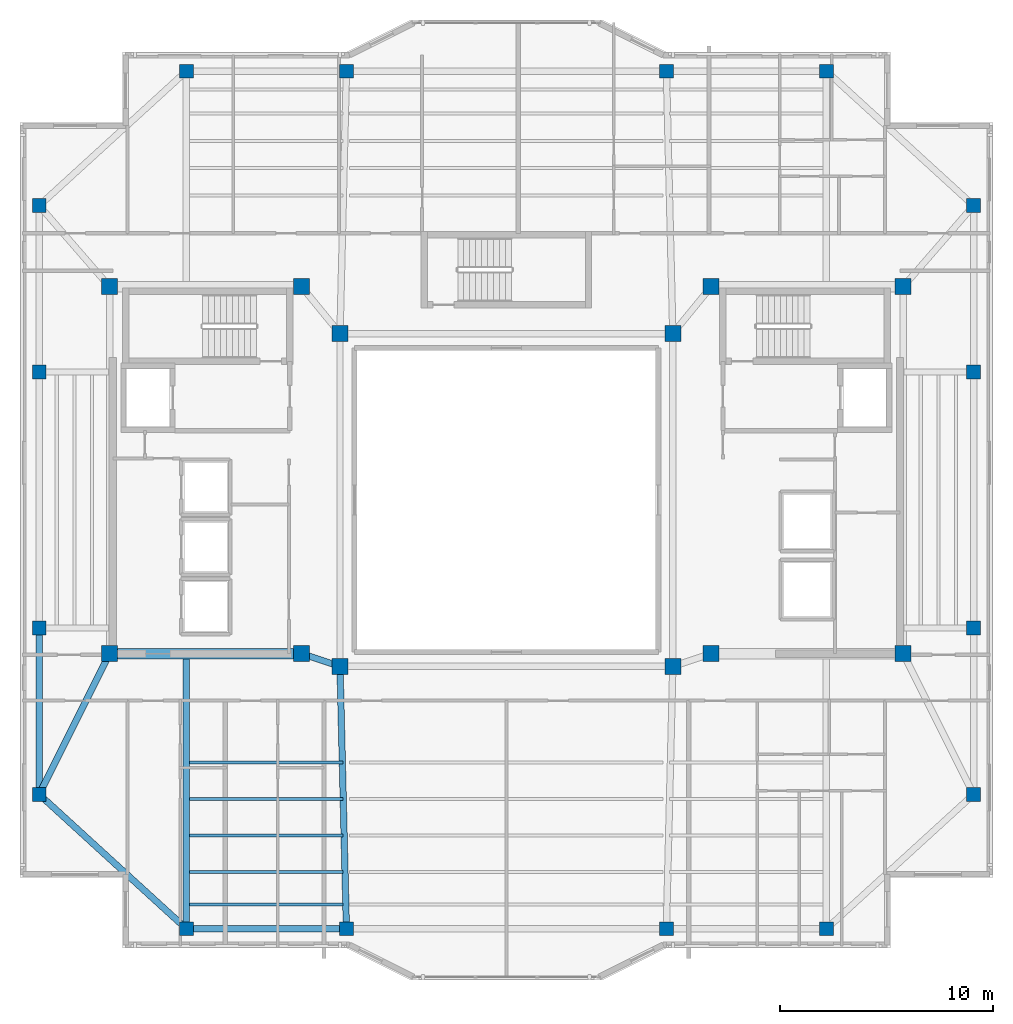
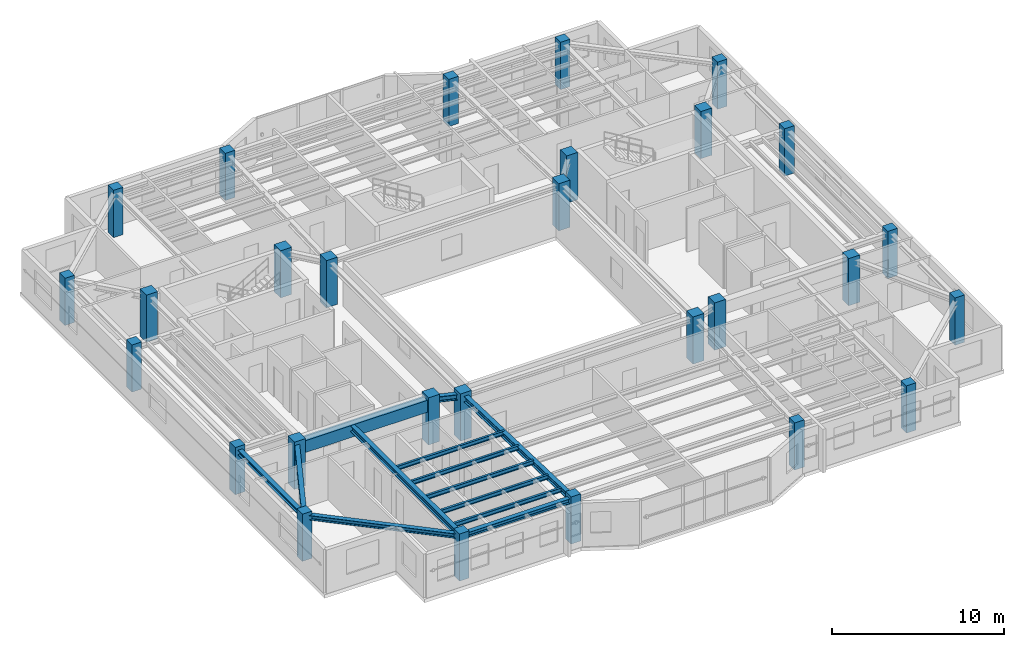
# One storey, part 1 of 14: 28 columns, 13 beams.
"""IFC4 building model written with IfcOpenShell, lengths in metres."""

from ifc_helpers import new_model, si_unit, direction, frame, origin, origin_2d, place, context, subcontext, project, spatial, rectangle, i_section, extrude, material, material_profile, profile_set, type_object, element, save


model = new_model("IFC4")

# Units and contexts
model_context = context("Model", 3, precision=1e-05, world=origin(), true_north=direction((0.0, 1.0)))
body_context = subcontext(model_context, "Body", "Model", "MODEL_VIEW")
ifc_project = project(units=[si_unit("LENGTHUNIT", "METRE"), si_unit("AREAUNIT", "SQUARE_METRE"), si_unit("VOLUMEUNIT", "CUBIC_METRE"), si_unit("PLANEANGLEUNIT", "RADIAN"), si_unit("MASSUNIT", "GRAM", prefix="KILO")], contexts=[model_context])

# Site, building, storey
site_placement = place(None, origin())
site = spatial("IfcSite", under=ifc_project, at=site_placement, CompositionType="ELEMENT")
building_placement = place(site_placement, origin())
building = spatial("IfcBuilding", under=site, at=building_placement, Name="Tarnavaz Court Tower", CompositionType="ELEMENT")
storey_placement = place(building_placement, frame((0.0, 0.0, 258.25)))
storey = spatial("IfcBuildingStorey", under=building, at=storey_placement, Name="L70", CompositionType="ELEMENT", Elevation=258.25)

# Columns
ifc_material_1 = material(Name="Concrete C50/60", Category="concrete")
ifc_material_profile_1 = material_profile(ifc_material_1, rectangle(XDim=0.64990234375, YDim=0.64990234375, at=origin_2d()), Name="RC 650X650")
ifc_profile_set_1 = profile_set([ifc_material_profile_1], Name="Concrete C50/60")
column_type_1 = type_object("IfcColumnType", Name="CL-RC650", PredefinedType="COLUMN", material=ifc_profile_set_1)
for number, where, z_axis, x_axis, name in (
    (1, (-15.0, 20.10009765625, 0.0), (0.0, 0.0, 1.0), (1.0, 0.0, 0.0), "L70 Column PN-1"),
    (2, (-7.5, 20.10009765625, 0.0), (0.0, 0.0, 1.0), (1.0, 0.0, 0.0), "L70 Column PN-2"),
    (3, (7.5, 20.10009765625, 0.0), (0.0, 0.0, 1.0), (1.0, 0.0, 0.0), "L70 Column PN-3"),
    (4, (15.0, 20.10009765625, 0.0), (0.0, 0.0, 1.0), (1.0, 0.0, 0.0), "L70 Column PN-4"),
    (5, (-15.0, -20.10009765625, 0.0), (0.0, 0.0, 1.0), (1.0, 0.0, 0.0), "L70 Column PS-1"),
    (6, (-7.5, -20.10009765625, 0.0), (0.0, 0.0, 1.0), (1.0, 0.0, 0.0), "L70 Column PS-2"),
    (7, (7.5, -20.10009765625, 0.0), (0.0, 0.0, 1.0), (1.0, 0.0, 0.0), "L70 Column PS-3"),
    (8, (15.0, -20.10009765625, 0.0), (0.0, 0.0, 1.0), (1.0, 0.0, 0.0), "L70 Column PS-4"),
    (9, (21.89990234375, -13.800048828125, 0.0), (0.0, 0.0, 1.0), (1.0, 0.0, 0.0), "L70 Column PE-1"),
    (10, (21.89990234375, -6.0, 0.0), (0.0, 0.0, 1.0), (1.0, 0.0, 0.0), "L70 Column PE-2"),
    (11, (21.89990234375, 6.0, 0.0), (0.0, 0.0, 1.0), (1.0, 0.0, 0.0), "L70 Column PE-3"),
    (12, (21.89990234375, 13.800048828125, 0.0), (0.0, 0.0, 1.0), (1.0, 0.0, 0.0), "L70 Column PE-4"),
    (13, (-21.89990234375, -13.800048828125, 0.0), (0.0, 0.0, 1.0), (1.0, 0.0, 0.0), "L70 Column PW-1"),
    (14, (-21.89990234375, -6.0, 0.0), (0.0, 0.0, 1.0), (1.0, 0.0, 0.0), "L70 Column PW-2"),
    (15, (-21.89990234375, 6.0, 0.0), (0.0, 0.0, 1.0), (1.0, 0.0, 0.0), "L70 Column PW-3"),
    (16, (-21.89990234375, 13.800048828125, 0.0), (0.0, 0.0, 1.0), (1.0, 0.0, 0.0), "L70 Column PW-4"),
):
    element("IfcColumn", number, at=place(storey_placement, frame(where, z_axis=z_axis, x_axis=x_axis)), inside=storey, type_object=column_type_1, Name=name, PredefinedType="COLUMN", context=body_context, shape_type="SweptSolid", body=[
        extrude(rectangle(XDim=0.64990234375, YDim=0.64990234375, at=origin_2d()), origin(), (0.0, 0.0, 1.0), 3.35009765625),
    ])
ifc_material_profile_2 = material_profile(ifc_material_1, rectangle(XDim=0.75, YDim=0.75, at=origin_2d()), Name="RC 750X750")
ifc_profile_set_2 = profile_set([ifc_material_profile_2], Name="Concrete C50/60")
column_type_2 = type_object("IfcColumnType", Name="CL-RC750", PredefinedType="COLUMN", material=ifc_profile_set_2)
for number, where, z_axis, x_axis, name in (
    (17, (-7.800048828125, -7.800048828125, 0.0), (0.0, 0.0, 1.0), (1.0, 0.0, 0.0), "L70 Column IW-SW"),
    (18, (7.800048828125, -7.800048828125, 0.0), (0.0, 0.0, 1.0), (1.0, 0.0, 0.0), "L70 Column IW-SE"),
    (19, (-7.800048828125, 7.800048828125, 0.0), (0.0, 0.0, 1.0), (1.0, 0.0, 0.0), "L70 Column IW-NW"),
    (20, (7.800048828125, 7.800048828125, 0.0), (0.0, 0.0, 1.0), (1.0, 0.0, 0.0), "L70 Column IW-NE"),
    (21, (-9.60009765625, -7.199951171875, 0.0), (0.0, 0.0, 1.0), (1.0, 0.0, 0.0), "L70 Column CW-SI"),
    (22, (-9.60009765625, 10.0, 0.0), (0.0, 0.0, 1.0), (1.0, 0.0, 0.0), "L70 Column CW-NI"),
    (23, (9.60009765625, -7.199951171875, 0.0), (0.0, 0.0, 1.0), (1.0, 0.0, 0.0), "L70 Column CE-SI"),
    (24, (9.60009765625, 10.0, 0.0), (0.0, 0.0, 1.0), (1.0, 0.0, 0.0), "L70 Column CE-NI"),
    (25, (-18.60009765625, -7.199951171875, 0.0), (0.0, 0.0, 1.0), (1.0, 0.0, 0.0), "L70 Column CW-SO"),
    (26, (-18.60009765625, 10.0, 0.0), (0.0, 0.0, 1.0), (1.0, 0.0, 0.0), "L70 Column CW-NO"),
    (27, (18.60009765625, -7.199951171875, 0.0), (0.0, 0.0, 1.0), (1.0, 0.0, 0.0), "L70 Column CE-SO"),
    (28, (18.60009765625, 10.0, 0.0), (0.0, 0.0, 1.0), (1.0, 0.0, 0.0), "L70 Column CE-NO"),
):
    element("IfcColumn", number, at=place(storey_placement, frame(where, z_axis=z_axis, x_axis=x_axis)), inside=storey, type_object=column_type_2, Name=name, PredefinedType="COLUMN", context=body_context, shape_type="SweptSolid", body=[
        extrude(rectangle(XDim=0.75, YDim=0.75, at=origin_2d()), origin(), (0.0, 0.0, 1.0), 3.35009765625),
    ])

# Beams
ifc_material_profile_3 = material_profile(ifc_material_1, rectangle(XDim=0.5, YDim=0.85009765625, at=origin_2d()), Name="RC 500X850")
ifc_profile_set_3 = profile_set([ifc_material_profile_3], Name="Concrete C50/60")
beam_type_1 = type_object("IfcBeamType", Name="BM-CB850", PredefinedType="LINTEL", material=ifc_profile_set_3)
beam_1_placement = place(storey_placement, frame((-18.3798828125, -7.199951171875, 2.675048828125), z_axis=(1.0, 0.0, 0.0), x_axis=(0.0, 1.0, 0.0)))
element("IfcBeam", 29, at=beam_1_placement, inside=storey, type_object=beam_type_1, Name="L70 Beam IN-CW-SO-CW-SI", PredefinedType="LINTEL", context=body_context, shape_type="SweptSolid", body=[
    extrude(rectangle(XDim=0.5, YDim=0.85009765625, at=origin_2d()), origin(), (0.0, 0.0, 1.0), 8.559814453125),
])
ifc_material_2 = material(Name="Steel S355", Category="steel")
ifc_material_profile_4 = material_profile(ifc_material_2, i_section(OverallWidth=0.300048828125, OverallDepth=0.39990234375, WebThickness=0.013427734375, FlangeThickness=0.02392578125, FilletRadius=0.027099609375, at=origin_2d()), Name="HEB 400")
ifc_profile_set_4 = profile_set([ifc_material_profile_4], Name="Steel S355")
beam_type_2 = type_object("IfcBeamType", Name="BM-G-HEB400", PredefinedType="USERDEFINED", material=ifc_profile_set_4)
beam_2_placement = place(storey_placement, frame((-9.391357421875, -7.26953125, 2.89990234375), z_axis=(0.948666544706, -0.316278021615, 0.0), x_axis=(0.316278021615, 0.948666544706, 0.0)))
element("IfcBeam", 30, at=beam_2_placement, inside=storey, type_object=beam_type_2, Name="L70 Beam IN-CW-SI-IW-SW", ObjectType="GIRDER", PredefinedType="USERDEFINED", context=body_context, shape_type="SweptSolid", body=[
    extrude(i_section(OverallWidth=0.300048828125, OverallDepth=0.39990234375, WebThickness=0.013427734375, FlangeThickness=0.02392578125, FilletRadius=0.027099609375, at=origin_2d()), origin(), (0.0, 0.0, 1.0), 1.457275390625),
])
beam_3_placement = place(storey_placement, frame((-15.0, -7.239990234375, 2.89990234375), z_axis=(0.0, -1.0, 0.0), x_axis=(1.0, 0.0, 0.0)))
element("IfcBeam", 31, at=beam_3_placement, inside=storey, type_object=beam_type_2, Name="L70 Beam RG-05", ObjectType="GIRDER", PredefinedType="USERDEFINED", context=body_context, shape_type="SweptSolid", body=[
    extrude(i_section(OverallWidth=0.300048828125, OverallDepth=0.39990234375, WebThickness=0.013427734375, FlangeThickness=0.02392578125, FilletRadius=0.027099609375, at=origin_2d()), origin(), (0.0, 0.0, 1.0), 12.639892578125),
])
beam_4_placement = place(storey_placement, frame((-7.794677734375, -8.02001953125, 2.89990234375), z_axis=(0.024386002211, -0.99970261723, 0.0), x_axis=(0.99970261723, 0.024386002211, 0.0)))
element("IfcBeam", 32, at=beam_4_placement, inside=storey, type_object=beam_type_2, Name="L70 Beam RG-06", ObjectType="GIRDER", PredefinedType="USERDEFINED", context=body_context, shape_type="SweptSolid", body=[
    extrude(i_section(OverallWidth=0.300048828125, OverallDepth=0.39990234375, WebThickness=0.013427734375, FlangeThickness=0.02392578125, FilletRadius=0.027099609375, at=origin_2d()), origin(), (0.0, 0.0, 1.0), 11.863525390625),
])
beam_5_placement = place(storey_placement, frame((-18.698486328125, -7.396728515625, 2.89990234375), z_axis=(-0.447185448279, -0.894441264057, 0.0), x_axis=(0.894441264057, -0.447185448279, 0.0)))
element("IfcBeam", 33, at=beam_5_placement, inside=storey, type_object=beam_type_2, Name="L70 Beam RG-15", ObjectType="GIRDER", PredefinedType="USERDEFINED", context=body_context, shape_type="SweptSolid", body=[
    extrude(i_section(OverallWidth=0.300048828125, OverallDepth=0.39990234375, WebThickness=0.013427734375, FlangeThickness=0.02392578125, FilletRadius=0.027099609375, at=origin_2d()), origin(), (0.0, 0.0, 1.0), 6.93896484375),
])
ifc_material_profile_5 = material_profile(ifc_material_2, i_section(OverallWidth=0.14990234375, OverallDepth=0.300048828125, WebThickness=0.007080078125, FlangeThickness=0.0107421875, FilletRadius=0.014892578125, at=origin_2d()), Name="IPE 300")
ifc_profile_set_5 = profile_set([ifc_material_profile_5], Name="Steel S355")
beam_type_3 = type_object("IfcBeamType", Name="BM-J-IPE300", PredefinedType="JOIST", material=ifc_profile_set_5)
for number, where, z_axis, x_axis, name in (
    (34, (-14.85009765625, -12.31005859375, 2.949951171875), (1.0, 0.0, 0.0), (0.0, 1.0, 0.0), "L70 Beam JS1-1"),
    (35, (-14.85009765625, -14.02001953125, 2.949951171875), (1.0, 0.0, 0.0), (0.0, 1.0, 0.0), "L70 Beam JS2-1"),
    (36, (-14.85009765625, -15.72998046875, 2.949951171875), (1.0, 0.0, 0.0), (0.0, 1.0, 0.0), "L70 Beam JS3-1"),
    (37, (-14.85009765625, -17.43994140625, 2.949951171875), (1.0, 0.0, 0.0), (0.0, 1.0, 0.0), "L70 Beam JS4-1"),
    (38, (-14.85009765625, -18.9599609375, 2.949951171875), (1.0, 0.0, 0.0), (0.0, 1.0, 0.0), "L70 Beam JS5-1"),
):
    element("IfcBeam", number, at=place(storey_placement, frame(where, z_axis=z_axis, x_axis=x_axis)), inside=storey, type_object=beam_type_3, Name=name, PredefinedType="JOIST", context=body_context, shape_type="SweptSolid", body=[
        extrude(i_section(OverallWidth=0.14990234375, OverallDepth=0.300048828125, WebThickness=0.007080078125, FlangeThickness=0.0107421875, FilletRadius=0.014892578125, at=origin_2d()), origin(), (0.0, 0.0, 1.0), 7.2001953125),
    ])
ifc_material_profile_6 = material_profile(ifc_material_2, i_section(OverallWidth=0.300048828125, OverallDepth=0.330078125, WebThickness=0.009521484375, FlangeThickness=0.0166015625, FilletRadius=0.027099609375, at=origin_2d()), Name="HEA 340")
ifc_profile_set_6 = profile_set([ifc_material_profile_6], Name="Steel S355")
beam_type_4 = type_object("IfcBeamType", Name="BM-SP-HEA340", PredefinedType="BEAM", material=ifc_profile_set_6)
beam_6_placement = place(storey_placement, frame((-14.780029296875, -20.10009765625, 2.93505859375), z_axis=(1.0, 0.0, 0.0), x_axis=(0.0, 1.0, 0.0)))
element("IfcBeam", 39, at=beam_6_placement, inside=storey, type_object=beam_type_4, Name="L70 Beam PR-PS-1-PS-2", PredefinedType="BEAM", context=body_context, shape_type="SweptSolid", body=[
    extrude(i_section(OverallWidth=0.300048828125, OverallDepth=0.330078125, WebThickness=0.009521484375, FlangeThickness=0.0166015625, FilletRadius=0.027099609375, at=origin_2d()), origin(), (0.0, 0.0, 1.0), 7.06005859375),
])
beam_7_placement = place(storey_placement, frame((-21.89990234375, -13.580078125, 2.93505859375), z_axis=(0.0, 1.0, 0.0), x_axis=(-1.0, 0.0, 0.0)))
element("IfcBeam", 40, at=beam_7_placement, inside=storey, type_object=beam_type_4, Name="L70 Beam PR-PW-1-PW-2", PredefinedType="BEAM", context=body_context, shape_type="SweptSolid", body=[
    extrude(i_section(OverallWidth=0.300048828125, OverallDepth=0.330078125, WebThickness=0.009521484375, FlangeThickness=0.0166015625, FilletRadius=0.027099609375, at=origin_2d()), origin(), (0.0, 0.0, 1.0), 7.360107421875),
])
beam_8_placement = place(storey_placement, frame((-15.16259765625, -19.95166015625, 2.93505859375), z_axis=(-0.738474214476, 0.674281717499, 0.0), x_axis=(-0.674281717499, -0.738474214476, 0.0)))
element("IfcBeam", 41, at=beam_8_placement, inside=storey, type_object=beam_type_4, Name="L70 Beam PR-PS-1-PW-1", PredefinedType="BEAM", context=body_context, shape_type="SweptSolid", body=[
    extrude(i_section(OverallWidth=0.300048828125, OverallDepth=0.330078125, WebThickness=0.009521484375, FlangeThickness=0.0166015625, FilletRadius=0.027099609375, at=origin_2d()), origin(), (0.0, 0.0, 1.0), 8.9033203125),
])

save(model, "model.ifc")
